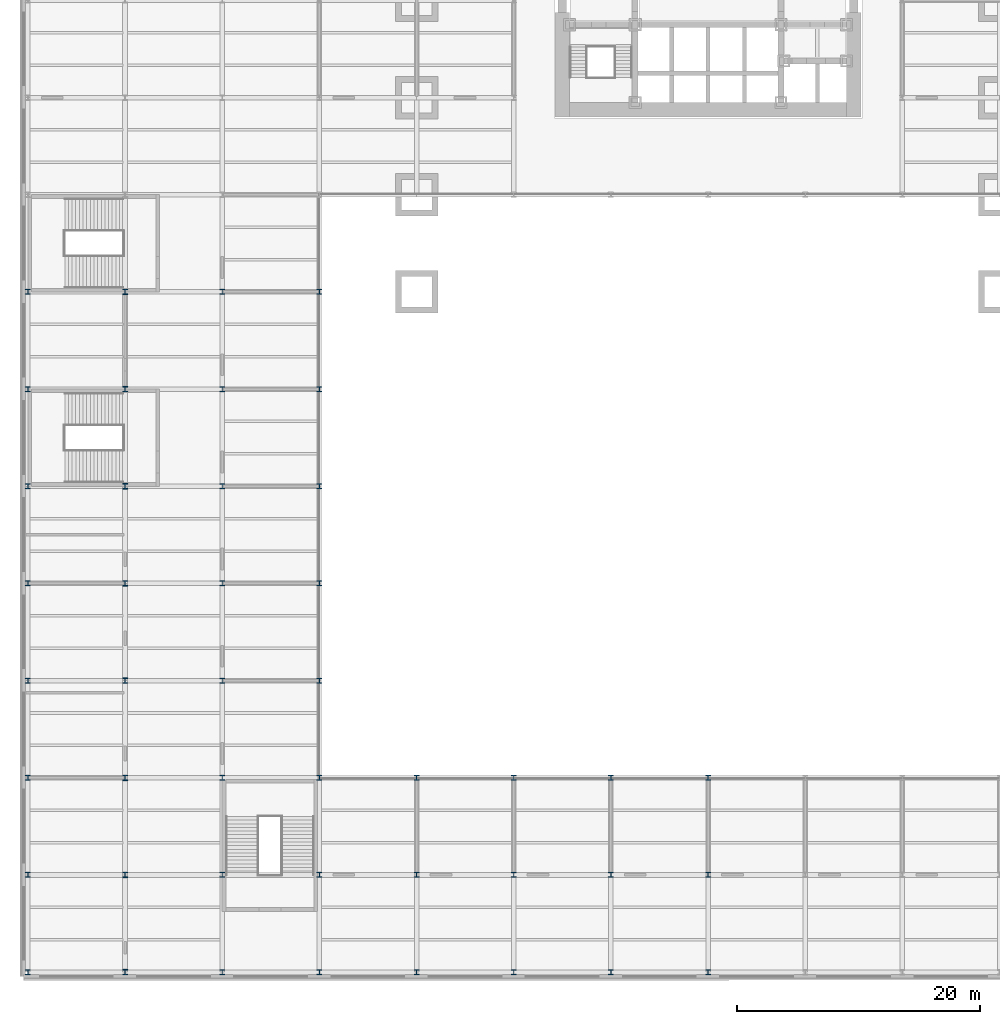
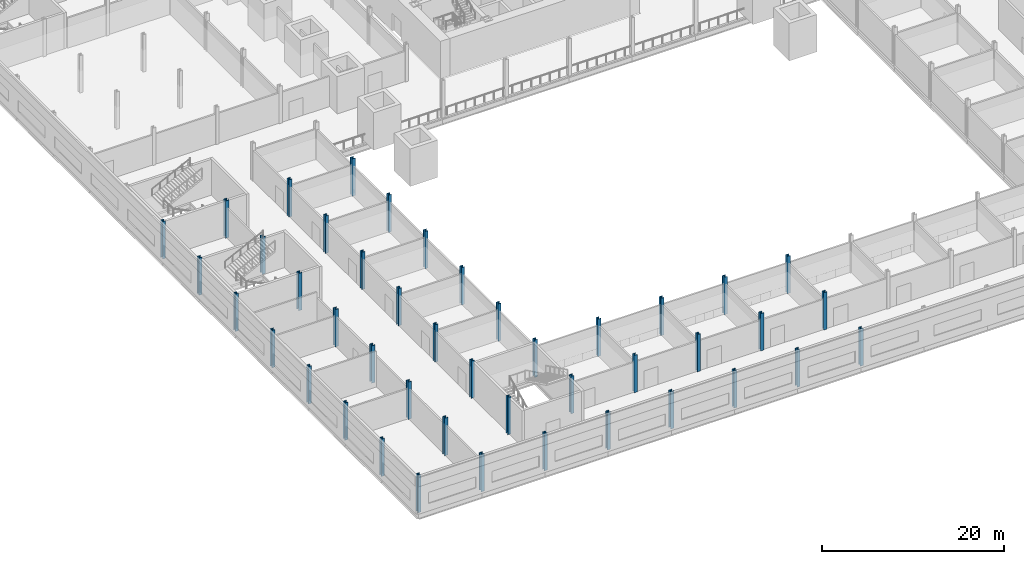
# One storey, part 1 of 22: 44 columns.
"""IFC4 building model written with IfcOpenShell, lengths in metres."""

import ifcopenshell
import ifcopenshell.guid

model = None  # the IFC model being written
_history = None  # IfcOwnerHistory: only IFC2X3 demands one
_inside = {}  # id of a spatial element -> (the spatial element, [elements in it])
_under = {}  # id of a project, library or spatial element -> (it, [spatial elements below it])
_declared = {}  # id of a project -> (the project, [libraries it declares])
_typed = {}  # id of a type object -> (the type object, [elements of that type])
_made_of = {}  # id of a material, layer set ... -> (it, [elements and type objects made of it])


def new_model(schema):
    """Start an empty IFC model of exactly this schema.

    Asked for "IFC4X3", IfcOpenShell would pick the latest addendum, in which some entities
    have other attributes; the version numbers below select the first issue.
    IFC2X3 requires an IfcOwnerHistory on every rooted entity: one is made here for all.
    """
    global model, _history
    if schema == "IFC4X3":
        model = ifcopenshell.file(schema_version=(4, 3, 0, 0))
    else:
        model = ifcopenshell.file(schema=schema)
    _inside.clear()
    _under.clear()
    _declared.clear()
    _typed.clear()
    _made_of.clear()
    _history = None
    if model.schema == "IFC2X3":
        org = make("IfcOrganization", Name="unknown")
        user = make(
            "IfcPersonAndOrganization",
            ThePerson=make("IfcPerson", FamilyName="unknown"),
            TheOrganization=org,
        )
        app = make(
            "IfcApplication",
            ApplicationDeveloper=org,
            Version="unknown",
            ApplicationFullName="unknown",
            ApplicationIdentifier="unknown",
        )
        _history = make(
            "IfcOwnerHistory",
            OwningUser=user,
            OwningApplication=app,
            ChangeAction="ADDED",
            CreationDate=0,
        )
    return model


def make(cls, **values):
    """One entity of the class cls with the attributes given. An attribute that is None is left unset."""
    return model.create_entity(
        cls, **{name: value for name, value in values.items() if value is not None}
    )


def rooted(cls, **values):
    """An entity with a GlobalId (a new one), such as an element, a storey or a relation."""
    return make(cls, GlobalId=ifcopenshell.guid.new(), OwnerHistory=_history, **values)


def si_unit(unit_type, name, prefix=None):
    """IfcSIUnit, for example si_unit("LENGTHUNIT", "METRE", prefix="MILLI")."""
    return make("IfcSIUnit", UnitType=unit_type, Prefix=prefix, Name=name)


def assignment(units):
    """IfcUnitAssignment: the units of a project."""
    return None if units is None else make("IfcUnitAssignment", Units=units)


def point(xyz):
    """IfcCartesianPoint."""
    return None if xyz is None else make("IfcCartesianPoint", Coordinates=xyz)


def direction(xyz):
    """IfcDirection."""
    return None if xyz is None else make("IfcDirection", DirectionRatios=xyz)


def frame(location, z_axis=None, x_axis=None):
    """IfcAxis2Placement3D, a coordinate frame: its origin and axes. An axis left out is left unset."""
    return make(
        "IfcAxis2Placement3D",
        Location=point(location),
        Axis=direction(z_axis),
        RefDirection=direction(x_axis),
    )


def frame_2d(location, x_axis=None):
    """IfcAxis2Placement2D, a coordinate frame in the plane: its origin and x axis."""
    return make(
        "IfcAxis2Placement2D", Location=point(location), RefDirection=direction(x_axis)
    )


def origin():
    """The frame at (0, 0, 0) with its axes left unset."""
    return frame((0.0, 0.0, 0.0))


def origin_2d():
    """The frame at (0, 0) in the plane with its x axis left unset."""
    return frame_2d((0.0, 0.0))


def place(relative_to, where):
    """IfcLocalPlacement: puts the frame where relative to a parent placement (None: the world)."""
    return make(
        "IfcLocalPlacement", PlacementRelTo=relative_to, RelativePlacement=where
    )


def context(
    kind, dimensions, precision=None, world=None, true_north=None, identifier=None
):
    """IfcGeometricRepresentationContext, for example the 3D "Model" context."""
    return make(
        "IfcGeometricRepresentationContext",
        ContextIdentifier=identifier,
        ContextType=kind,
        CoordinateSpaceDimension=dimensions,
        Precision=precision,
        WorldCoordinateSystem=world,
        TrueNorth=true_north,
    )


def subcontext(parent, identifier, kind, view, scale=None):
    """IfcGeometricRepresentationSubContext, for example "Body" below "Model"."""
    return make(
        "IfcGeometricRepresentationSubContext",
        ContextIdentifier=identifier,
        ContextType=kind,
        ParentContext=parent,
        TargetScale=scale,
        TargetView=view,
    )


def project(units=None, contexts=None):
    """IfcProject with its units and contexts."""
    return rooted(
        "IfcProject",
        Name="project",
        RepresentationContexts=contexts,
        UnitsInContext=assignment(units),
    )


def spatial(cls, under=None, at=None, **own):
    """A site, building, storey or space (cls), placed at a placement, below another one or the project."""
    s = rooted(cls, ObjectPlacement=at, **own)
    if under is not None:
        _under.setdefault(under.id(), (under, []))[1].append(s)
    return s


def profile(cls, at=None, kind="AREA", **sizes):
    """A parametric profile (cls). Its sizes go by their IFC names, for example OverallWidth=200.0."""
    return make(cls, ProfileType=kind, Position=at, **sizes)


def i_section(**sizes):
    """IfcIShapeProfileDef."""
    return profile("IfcIShapeProfileDef", **sizes)


def extrude(swept, where, along, depth):
    """IfcExtrudedAreaSolid: the profile swept, set in the frame where, extruded along a direction by depth."""
    return make(
        "IfcExtrudedAreaSolid",
        SweptArea=swept,
        Position=where,
        ExtrudedDirection=direction(along),
        Depth=depth,
    )


def shape(context_of_items, identifier, shape_type, items):
    """IfcShapeRepresentation: the items that make up one representation, for example the "Body"."""
    return make(
        "IfcShapeRepresentation",
        ContextOfItems=context_of_items,
        RepresentationIdentifier=identifier,
        RepresentationType=shape_type,
        Items=items,
    )


def material(Name=None, Category=None):
    """IfcMaterial."""
    return make("IfcMaterial", Name=Name, Category=Category)


def material_profile(
    of_material, cross_section, Name=None, Category=None, Priority=None
):
    """IfcMaterialProfile: a cross section and its material."""
    return make(
        "IfcMaterialProfile",
        Name=Name,
        Material=of_material,
        Profile=cross_section,
        Priority=Priority,
        Category=Category,
    )


def profile_set(profiles, Name=None, composite=None):
    """IfcMaterialProfileSet."""
    return make(
        "IfcMaterialProfileSet",
        Name=Name,
        MaterialProfiles=profiles,
        CompositeProfile=composite,
    )


def made_of(thing, what):
    """Note that an element or type object is made of a material, layer set ...; save() writes the relation."""
    if what is not None:
        _made_of.setdefault(what.id(), (what, []))[1].append(thing)
    return thing


def type_object(cls, material=None, **own):
    """A type object (cls), such as IfcWallType, which elements share."""
    return made_of(rooted(cls, **own), material)


def element(
    cls,
    number,
    at=None,
    inside=None,
    cuts=None,
    type_object=None,
    material=None,
    context=None,
    identifier="Body",
    shape_type=None,
    held_by="IfcProductDefinitionShape",
    body=None,
    shapes=None,
    **own,
):
    """One element of the class cls, such as IfcWall. Its Tag is "e" and its number.

    at: its placement. inside: the storey or other place that contains it. cuts: it is an
    opening in that element (IfcRelVoidsElement). A single representation is given by context,
    identifier, shape_type and body (its items); several are given by shapes. held_by: the class
    of the entity that holds the representations. save() writes the other relations.
    """
    e = rooted(cls, Tag="e%d" % number, ObjectPlacement=at, **own)
    if body is not None:
        shapes = [shape(context, identifier, shape_type, body)]
    if shapes is not None:
        e.Representation = make(held_by, Representations=shapes)
    if inside is not None:
        _inside.setdefault(inside.id(), (inside, []))[1].append(e)
    if cuts is not None:
        rooted(
            "IfcRelVoidsElement", RelatingBuildingElement=cuts, RelatedOpeningElement=e
        )
    if type_object is not None:
        _typed.setdefault(type_object.id(), (type_object, []))[1].append(e)
    return made_of(e, material)


def aggregate(whole, parts):
    """IfcRelAggregates: a whole, such as a stair, and the parts it consists of."""
    return rooted("IfcRelAggregates", RelatingObject=whole, RelatedObjects=parts)


def save(model, path):
    """Write the relations noted so far, then the file.

    IfcRelAggregates (storeys below a building ...), IfcRelContainedInSpatialStructure (elements
    in a storey), IfcRelDefinesByType, IfcRelAssociatesMaterial and IfcRelDeclares: one each for
    every whole, place, type object, material and project.
    """
    for whole, parts in _under.values():
        aggregate(whole, parts)
    for where, things in _inside.values():
        rooted(
            "IfcRelContainedInSpatialStructure",
            RelatedElements=things,
            RelatingStructure=where,
        )
    for kind, things in _typed.values():
        rooted("IfcRelDefinesByType", RelatedObjects=things, RelatingType=kind)
    for what, things in _made_of.values():
        rooted("IfcRelAssociatesMaterial", RelatedObjects=things, RelatingMaterial=what)
    for by, libraries in _declared.values():
        rooted("IfcRelDeclares", RelatingContext=by, RelatedDefinitions=libraries)
    model.write(path)


model = new_model("IFC4")

# Units and contexts
model_context = context("Model", 3, precision=1e-05, world=origin(), true_north=direction((0.0, 1.0)))
body_context = subcontext(model_context, "Body", "Model", "MODEL_VIEW")
ifc_project = project(units=[si_unit("LENGTHUNIT", "METRE"), si_unit("AREAUNIT", "SQUARE_METRE"), si_unit("VOLUMEUNIT", "CUBIC_METRE"), si_unit("PLANEANGLEUNIT", "RADIAN"), si_unit("MASSUNIT", "GRAM", prefix="KILO")], contexts=[model_context])

# Site, building, storey
site_placement = place(None, origin())
site = spatial("IfcSite", under=ifc_project, at=site_placement, CompositionType="ELEMENT")
building_placement = place(site_placement, origin())
building = spatial("IfcBuilding", under=site, at=building_placement, Name="Daluyong Arena Tower", CompositionType="ELEMENT")
storey_placement = place(building_placement, frame((0.0, 0.0, 9.89990234375)))
storey = spatial("IfcBuildingStorey", under=building, at=storey_placement, Name="L02", CompositionType="ELEMENT", Elevation=9.89990234375)

# Columns
ifc_material_1 = material(Name="Steel ASTM A913 Grade 65", Category="steel")
ifc_material_profile_1 = material_profile(ifc_material_1, i_section(OverallWidth=0.419189453125, OverallDepth=0.45458984375, WebThickness=0.042236328125, FlangeThickness=0.067626953125, at=origin_2d()))
ifc_profile_set_1 = profile_set([ifc_material_profile_1], Name="Steel ASTM A913 Grade 65")
column_type_1 = type_object("IfcColumnType", Name="Arena roof column W14X370", PredefinedType="COLUMN", material=ifc_profile_set_1)
for number, where, z_axis, x_axis, name in (
    (1, (8.0, 0.0, 0.0), (0.0, 0.0, 1.0), (1.0, 0.0, 0.0), "arena roof column AC1"),
    (2, (8.0, 8.0, 0.0), (0.0, 0.0, 1.0), (1.0, 0.0, 0.0), "arena roof column AC1"),
    (3, (8.0, 16.0, 0.0), (0.0, 0.0, 1.0), (1.0, 0.0, 0.0), "arena roof column AC1"),
    (4, (8.0, 24.0, 0.0), (0.0, 0.0, 1.0), (1.0, 0.0, 0.0), "arena roof column AC1"),
    (5, (8.0, 32.0, 0.0), (0.0, 0.0, 1.0), (1.0, 0.0, 0.0), "arena roof column AC1"),
    (6, (8.0, 40.0, 0.0), (0.0, 0.0, 1.0), (1.0, 0.0, 0.0), "arena roof column AC1"),
    (7, (8.0, 48.0, 0.0), (0.0, 0.0, 1.0), (1.0, 0.0, 0.0), "arena roof column AC1"),
    (8, (8.0, 56.0, 0.0), (0.0, 0.0, 1.0), (1.0, 0.0, 0.0), "arena roof column AC1"),
):
    element("IfcColumn", number, at=place(storey_placement, frame(where, z_axis=z_axis, x_axis=x_axis)), inside=storey, type_object=column_type_1, Name=name, PredefinedType="COLUMN", context=body_context, shape_type="SweptSolid", body=[
        extrude(i_section(OverallWidth=0.419189453125, OverallDepth=0.45458984375, WebThickness=0.042236328125, FlangeThickness=0.067626953125, at=origin_2d()), origin(), (0.0, 0.0, 1.0), 5.0),
    ])
ifc_material_2 = material(Name="Steel ASTM A992 Grade 50", Category="steel")
ifc_material_profile_2 = material_profile(ifc_material_2, i_section(OverallWidth=0.406494140625, OverallDepth=0.41650390625, WebThickness=0.030029296875, FlangeThickness=0.048095703125, at=origin_2d()))
ifc_profile_set_2 = profile_set([ifc_material_profile_2], Name="Steel ASTM A992 Grade 50")
column_type_2 = type_object("IfcColumnType", Name="Podium column W14X257", PredefinedType="COLUMN", material=ifc_profile_set_2)
for number, where, z_axis, x_axis, name in (
    (9, (0.0, 0.0, 0.0), (0.0, 0.0, 1.0), (1.0, 0.0, 0.0), "podium column PC2"),
    (10, (0.0, 8.0, 0.0), (0.0, 0.0, 1.0), (1.0, 0.0, 0.0), "podium column PC2"),
    (11, (0.0, 16.0, 0.0), (0.0, 0.0, 1.0), (1.0, 0.0, 0.0), "podium column PC2"),
    (12, (0.0, 24.0, 0.0), (0.0, 0.0, 1.0), (1.0, 0.0, 0.0), "podium column PC2"),
    (13, (0.0, 32.0, 0.0), (0.0, 0.0, 1.0), (1.0, 0.0, 0.0), "podium column PC2"),
    (14, (0.0, 40.0, 0.0), (0.0, 0.0, 1.0), (1.0, 0.0, 0.0), "podium column PC2"),
    (15, (0.0, 48.0, 0.0), (0.0, 0.0, 1.0), (1.0, 0.0, 0.0), "podium column PC2"),
    (16, (0.0, 56.0, 0.0), (0.0, 0.0, 1.0), (1.0, 0.0, 0.0), "podium column PC2"),
    (17, (16.0, 0.0, 0.0), (0.0, 0.0, 1.0), (1.0, 0.0, 0.0), "podium column PC2"),
    (18, (16.0, 8.0, 0.0), (0.0, 0.0, 1.0), (1.0, 0.0, 0.0), "podium column PC2"),
    (19, (16.0, 16.0, 0.0), (0.0, 0.0, 1.0), (1.0, 0.0, 0.0), "podium column PC2"),
    (20, (16.0, 24.0, 0.0), (0.0, 0.0, 1.0), (1.0, 0.0, 0.0), "podium column PC2"),
    (21, (16.0, 32.0, 0.0), (0.0, 0.0, 1.0), (1.0, 0.0, 0.0), "podium column PC2"),
    (22, (16.0, 40.0, 0.0), (0.0, 0.0, 1.0), (1.0, 0.0, 0.0), "podium column PC2"),
    (23, (16.0, 48.0, 0.0), (0.0, 0.0, 1.0), (1.0, 0.0, 0.0), "podium column PC2"),
    (24, (16.0, 56.0, 0.0), (0.0, 0.0, 1.0), (1.0, 0.0, 0.0), "podium column PC2"),
    (25, (24.0, 0.0, 0.0), (0.0, 0.0, 1.0), (1.0, 0.0, 0.0), "podium column PC2"),
    (26, (24.0, 8.0, 0.0), (0.0, 0.0, 1.0), (1.0, 0.0, 0.0), "podium column PC2"),
    (27, (24.0, 16.0, 0.0), (0.0, 0.0, 1.0), (1.0, 0.0, 0.0), "podium column PC2"),
    (28, (24.0, 24.0, 0.0), (0.0, 0.0, 1.0), (1.0, 0.0, 0.0), "podium column PC2"),
    (29, (24.0, 32.0, 0.0), (0.0, 0.0, 1.0), (1.0, 0.0, 0.0), "podium column PC2"),
    (30, (24.0, 40.0, 0.0), (0.0, 0.0, 1.0), (1.0, 0.0, 0.0), "podium column PC2"),
    (31, (24.0, 48.0, 0.0), (0.0, 0.0, 1.0), (1.0, 0.0, 0.0), "podium column PC2"),
    (32, (24.0, 56.0, 0.0), (0.0, 0.0, 1.0), (1.0, 0.0, 0.0), "podium column PC2"),
    (33, (32.0, 0.0, 0.0), (0.0, 0.0, 1.0), (1.0, 0.0, 0.0), "podium column PC2"),
    (34, (32.0, 8.0, 0.0), (0.0, 0.0, 1.0), (1.0, 0.0, 0.0), "podium column PC2"),
    (35, (32.0, 16.0, 0.0), (0.0, 0.0, 1.0), (1.0, 0.0, 0.0), "podium column PC2"),
    (36, (40.0, 0.0, 0.0), (0.0, 0.0, 1.0), (1.0, 0.0, 0.0), "podium column PC2"),
    (37, (40.0, 8.0, 0.0), (0.0, 0.0, 1.0), (1.0, 0.0, 0.0), "podium column PC2"),
    (38, (40.0, 16.0, 0.0), (0.0, 0.0, 1.0), (1.0, 0.0, 0.0), "podium column PC2"),
    (39, (48.0, 0.0, 0.0), (0.0, 0.0, 1.0), (1.0, 0.0, 0.0), "podium column PC2"),
    (40, (48.0, 8.0, 0.0), (0.0, 0.0, 1.0), (1.0, 0.0, 0.0), "podium column PC2"),
    (41, (48.0, 16.0, 0.0), (0.0, 0.0, 1.0), (1.0, 0.0, 0.0), "podium column PC2"),
    (42, (56.0, 0.0, 0.0), (0.0, 0.0, 1.0), (1.0, 0.0, 0.0), "podium column PC2"),
    (43, (56.0, 8.0, 0.0), (0.0, 0.0, 1.0), (1.0, 0.0, 0.0), "podium column PC2"),
    (44, (56.0, 16.0, 0.0), (0.0, 0.0, 1.0), (1.0, 0.0, 0.0), "podium column PC2"),
):
    element("IfcColumn", number, at=place(storey_placement, frame(where, z_axis=z_axis, x_axis=x_axis)), inside=storey, type_object=column_type_2, Name=name, PredefinedType="COLUMN", context=body_context, shape_type="SweptSolid", body=[
        extrude(i_section(OverallWidth=0.406494140625, OverallDepth=0.41650390625, WebThickness=0.030029296875, FlangeThickness=0.048095703125, at=origin_2d()), origin(), (0.0, 0.0, 1.0), 5.0),
    ])

save(model, "model.ifc")
